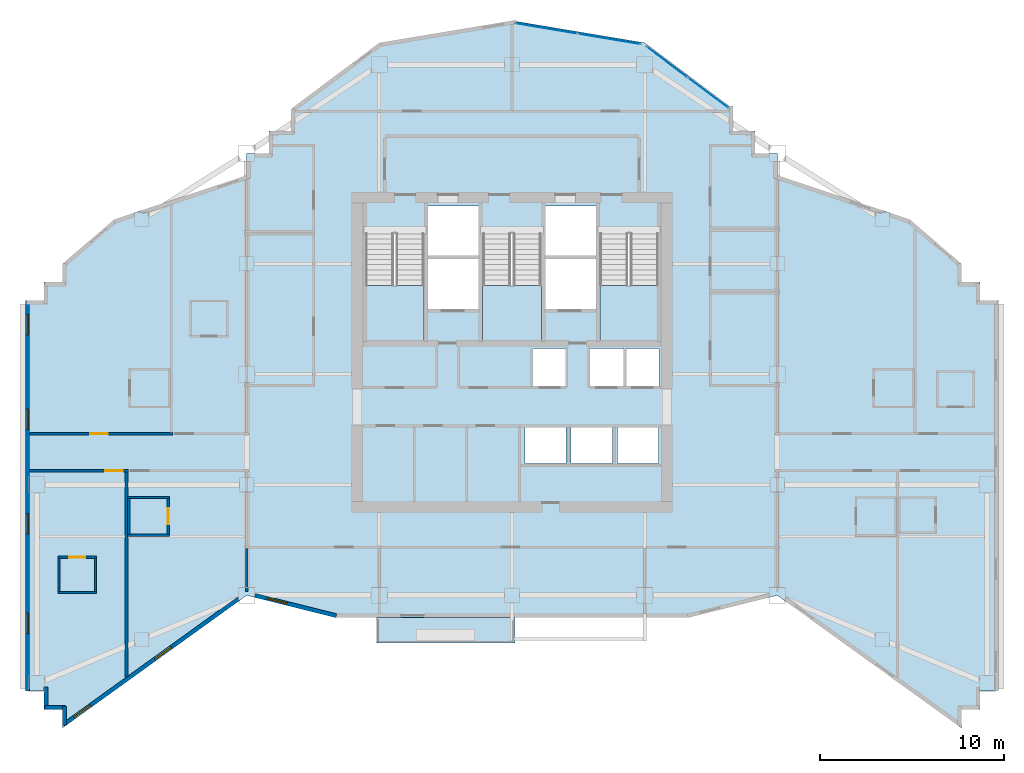
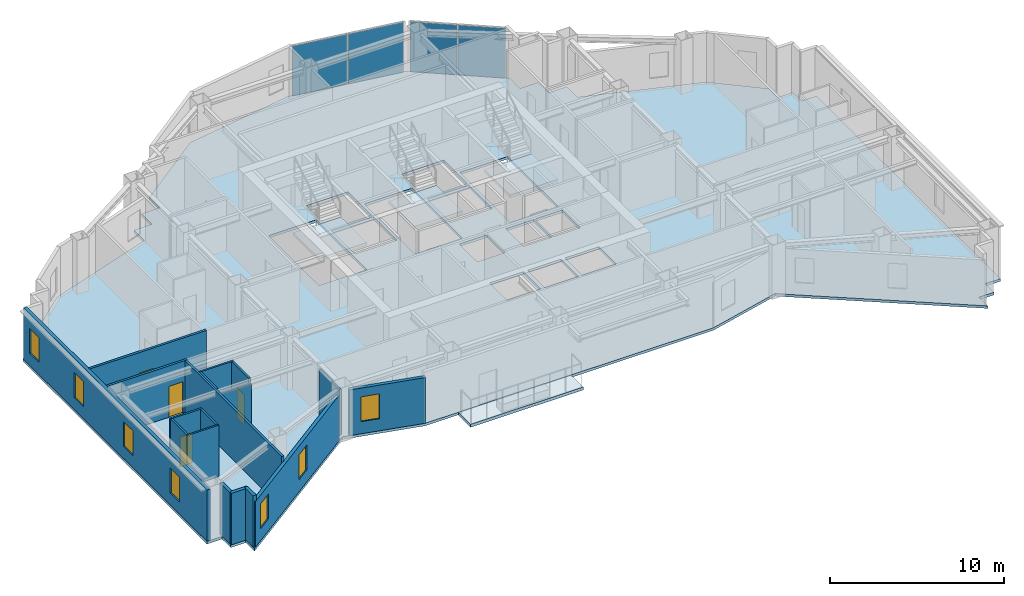
# One storey, part 4 of 12: 18 walls, 7 windows, 5 slabs, 4 doors, 4 plates, 11 openings, 5 elements without a shape of their own.
"""IFC4 building model written with IfcOpenShell, lengths in metres."""

from ifc_helpers import new_model, si_unit, direction, frame, frame_2d, origin, origin_2d, place, context, subcontext, project, spatial, polyline, rectangle, outline, extrude, material, layer, layer_set, type_object, element, fill, aggregate, save


model = new_model("IFC4")

# Units and contexts
model_context = context("Model", 3, precision=1e-05, world=origin(), true_north=direction((0.0, 1.0)))
body_context = subcontext(model_context, "Body", "Model", "MODEL_VIEW")
ifc_project = project(units=[si_unit("LENGTHUNIT", "METRE"), si_unit("AREAUNIT", "SQUARE_METRE"), si_unit("VOLUMEUNIT", "CUBIC_METRE"), si_unit("PLANEANGLEUNIT", "RADIAN"), si_unit("MASSUNIT", "GRAM", prefix="KILO")], contexts=[model_context])

# Site, building, storey
site_placement = place(None, origin())
site = spatial("IfcSite", under=ifc_project, at=site_placement, CompositionType="ELEMENT")
building_placement = place(site_placement, origin())
building = spatial("IfcBuilding", under=site, at=building_placement, Name="Haolan Belvedere Tower", CompositionType="ELEMENT")
storey_placement = place(building_placement, frame((0.0, 0.0, 184.199951171875)))
storey = spatial("IfcBuildingStorey", under=building, at=storey_placement, Name="L46", CompositionType="ELEMENT", Elevation=184.199951171875)

# Curtain wall, plates
ifc_material_1 = material(Name="Anodised champagne-silver aluminium 6063-T6 and Low-E glass", Category="aluminium")
ifc_layer_1 = layer(ifc_material_1, 0.14990234375, Name="Anodised champagne-silver aluminium 6063-T6 and Low-E glass")
ifc_layer_set_1 = layer_set([ifc_layer_1], Name="Anodised champagne-silver aluminium 6063-T6 and Low-E glass")
curtain_wall_type = type_object("IfcCurtainWallType", Name="CW-SYS-04", PredefinedType="NOTDEFINED", material=ifc_layer_set_1)
curtain_wall_1_placement = place(storey_placement, origin())
curtain_wall_1 = element("IfcCurtainWall", 1, at=curtain_wall_1_placement, inside=storey, type_object=curtain_wall_type, Name="L46 CW-SYS-04 ribbon curtain wall 20.1", PredefinedType="NOTDEFINED")
ifc_material_2 = material(Name="Double silver Low-E laminated insulating glass", Category="glass")
ifc_layer_2 = layer(ifc_material_2, 0.02392578125, Name="Double silver Low-E laminated insulating glass")
ifc_layer_set_2 = layer_set([ifc_layer_2], Name="Double silver Low-E laminated insulating glass")
plate_type = type_object("IfcPlateType", Name="CW-SYS-04-PNL", PredefinedType="CURTAIN_PANEL", material=ifc_layer_set_2)
plate_1_placement = place(storey_placement, frame((49.0390625, 48.883056640625, 0.052001953125), z_axis=(0.0, 0.0, 1.0), x_axis=(-0.799997871638, 0.600002837806, 0.0)))
plate_1 = element("IfcPlate", 2, at=plate_1_placement, type_object=plate_type, Name="CW-04 panel 1.1", PredefinedType="CURTAIN_PANEL", context=body_context, shape_type="SweptSolid", body=[
    extrude(rectangle(XDim=2.735107421875, YDim=0.02392578125, at=origin_2d()), origin(), (0.0, 0.0, 1.0), 3.51611328125),
])
plate_2_placement = place(storey_placement, frame((46.806396484375, 50.557861328125, 0.052001953125), z_axis=(0.0, 0.0, 1.0), x_axis=(-0.799997871638, 0.600002837806, 0.0)))
plate_2 = element("IfcPlate", 3, at=plate_2_placement, type_object=plate_type, Name="CW-04 panel 2.1", PredefinedType="CURTAIN_PANEL", context=body_context, shape_type="SweptSolid", body=[
    extrude(rectangle(XDim=2.735107421875, YDim=0.02392578125, at=origin_2d()), origin(), (0.0, 0.0, 1.0), 3.51611328125),
])
aggregate(curtain_wall_1, [plate_1, plate_2])

curtain_wall_2_placement = place(storey_placement, origin())
curtain_wall_2 = element("IfcCurtainWall", 4, at=curtain_wall_2_placement, inside=storey, type_object=curtain_wall_type, Name="L46 CW-SYS-04 ribbon curtain wall 21.1", PredefinedType="NOTDEFINED")
plate_3_placement = place(storey_placement, frame((43.683837890625, 51.807861328125, 0.052001953125), z_axis=(0.0, 0.0, 1.0), x_axis=(-0.98639276122, 0.164405962825, 0.0)))
plate_3 = element("IfcPlate", 5, at=plate_3_placement, type_object=plate_type, Name="CW-04 panel 1.1", PredefinedType="CURTAIN_PANEL", context=body_context, shape_type="SweptSolid", body=[
    extrude(rectangle(XDim=3.403076171875, YDim=0.02392578125, at=origin_2d()), origin(), (0.0, 0.0, 1.0), 3.51611328125),
])
plate_4_placement = place(storey_placement, frame((40.271728515625, 52.37646484375, 0.052001953125), z_axis=(0.0, 0.0, 1.0), x_axis=(-0.98639276122, 0.164405962825, 0.0)))
plate_4 = element("IfcPlate", 6, at=plate_4_placement, type_object=plate_type, Name="CW-04 panel 2.1", PredefinedType="CURTAIN_PANEL", context=body_context, shape_type="SweptSolid", body=[
    extrude(rectangle(XDim=3.403076171875, YDim=0.02392578125, at=origin_2d()), origin(), (0.0, 0.0, 1.0), 3.51611328125),
])
aggregate(curtain_wall_2, [plate_3, plate_4])

# Slabs
ifc_material_3 = material(Name="Concrete C40/50", Category="concrete")
ifc_layer_3 = layer(ifc_material_3, 0.2099609375, Name="Concrete C40/50")
ifc_layer_set_3 = layer_set([ifc_layer_3], Name="Concrete C40/50")
slab_type_1 = type_object("IfcSlabType", Name="SL-BAL-210", PredefinedType="FLOOR", material=ifc_layer_set_3)
slab_1_placement = place(storey_placement, frame((0.0, 0.0, -0.22998046875)))
element("IfcSlab", 7, at=slab_1_placement, inside=storey, type_object=slab_type_1, Name="L46 structural tree-planter balcony slab BAL-L46-S1", PredefinedType="FLOOR", context=body_context, shape_type="SweptSolid", body=[
    extrude(outline(polyline([(31.050048828125, 19.02001953125), (38.550048828125, 19.02001953125), (38.550048828125, 20.39990234375), (31.050048828125, 20.39990234375), (31.050048828125, 19.02001953125)])), origin(), (0.0, 0.0, 1.0), 0.2099609375),
])
ifc_layer_4 = layer(ifc_material_3, 0.179931640625, Name="Concrete C40/50")
ifc_layer_set_4 = layer_set([ifc_layer_4], Name="Concrete C40/50")
slab_type_2 = type_object("IfcSlabType", Name="SL-FLR-180", PredefinedType="FLOOR", material=ifc_layer_set_4)
slab_2_placement = place(storey_placement, frame((0.0, 0.0, -0.179931640625)))
element("IfcSlab", 8, at=slab_2_placement, inside=storey, type_object=slab_type_2, Name="L46 structural floor slab", PredefinedType="FLOOR", context=body_context, shape_type="SweptSolid", body=[
    extrude(outline(polyline([(24.0, 21.60009765625), (28.800048828125, 20.39990234375), (48.0, 20.39990234375), (52.800048828125, 21.60009765625), (62.800048828125, 14.39990234375), (62.800048828125, 15.39990234375), (63.800048828125, 15.39990234375), (63.800048828125, 16.39990234375), (64.800048828125, 16.39990234375), (64.800048828125, 37.60009765625), (63.800048828125, 37.60009765625), (63.800048828125, 38.60009765625), (62.800048828125, 38.60009765625), (62.800048828125, 39.60009765625), (60.0, 42.0), (52.800048828125, 44.39990234375), (52.800048828125, 45.60009765625), (51.60009765625, 45.60009765625), (51.60009765625, 46.800048828125), (50.39990234375, 46.800048828125), (50.39990234375, 48.0), (45.60009765625, 51.60009765625), (38.39990234375, 52.800048828125), (31.199951171875, 51.60009765625), (26.39990234375, 48.0), (26.39990234375, 46.800048828125), (25.199951171875, 46.800048828125), (25.199951171875, 45.60009765625), (24.0, 45.60009765625), (24.0, 44.39990234375), (16.800048828125, 42.0), (14.0, 39.60009765625), (14.0, 38.60009765625), (13.0, 38.60009765625), (13.0, 37.60009765625), (12.0, 37.60009765625), (12.0, 16.800048828125), (12.0, 16.39990234375), (13.0, 16.39990234375), (13.0, 15.39990234375), (14.0, 15.39990234375), (14.0, 14.39990234375), (24.0, 21.60009765625)]), holes=[polyline([(30.449951171875, 41.22998046875), (30.449951171875, 35.449951171875), (33.6298828125, 35.449951171875), (33.6298828125, 41.22998046875), (30.449951171875, 41.22998046875)]), polyline([(36.81005859375, 41.22998046875), (36.81005859375, 35.449951171875), (39.989990234375, 35.449951171875), (39.989990234375, 41.22998046875), (36.81005859375, 41.22998046875)]), polyline([(43.169921875, 41.22998046875), (43.169921875, 35.449951171875), (46.35009765625, 35.449951171875), (46.35009765625, 41.22998046875), (43.169921875, 41.22998046875)]), polyline([(33.830078125, 40.050048828125), (36.610107421875, 40.050048828125), (36.610107421875, 42.75), (33.830078125, 42.75), (33.830078125, 40.050048828125)]), polyline([(33.830078125, 37.14990234375), (36.610107421875, 37.14990234375), (36.610107421875, 39.85009765625), (33.830078125, 39.85009765625), (33.830078125, 37.14990234375)]), polyline([(40.18994140625, 40.050048828125), (42.969970703125, 40.050048828125), (42.969970703125, 42.75), (40.18994140625, 42.75), (40.18994140625, 40.050048828125)]), polyline([(40.18994140625, 37.14990234375), (42.969970703125, 37.14990234375), (42.969970703125, 39.85009765625), (40.18994140625, 39.85009765625), (40.18994140625, 37.14990234375)]), polyline([(39.5400390625, 32.949951171875), (41.389892578125, 32.949951171875), (41.389892578125, 35.0), (39.5400390625, 35.0), (39.5400390625, 32.949951171875)]), polyline([(42.6201171875, 32.949951171875), (44.469970703125, 32.949951171875), (44.469970703125, 35.0), (42.6201171875, 35.0), (42.6201171875, 32.949951171875)]), polyline([(44.580078125, 32.949951171875), (46.3798828125, 32.949951171875), (46.3798828125, 35.0), (44.580078125, 35.0), (44.580078125, 32.949951171875)]), polyline([(39.10009765625, 28.75), (41.340087890625, 28.75), (41.340087890625, 30.75), (39.10009765625, 30.75), (39.10009765625, 28.75)]), polyline([(41.610107421875, 28.75), (43.85009765625, 28.75), (43.85009765625, 30.75), (41.610107421875, 30.75), (41.610107421875, 28.75)]), polyline([(44.1201171875, 28.75), (46.360107421875, 28.75), (46.360107421875, 30.75), (44.1201171875, 30.75), (44.1201171875, 28.75)])]), origin(), (0.0, 0.0, 1.0), 0.179931640625),
])

# Stair, slab
stair_type = type_object("IfcStairType", Name="STR-DL-22R-173", PredefinedType="HALF_TURN_STAIR", material=ifc_material_3)
stair_1_placement = place(storey_placement, origin())
stair_1 = element("IfcStair", 9, at=stair_1_placement, inside=storey, type_object=stair_type, Name="L46 Smokeproof Core Exit Stair ST1", PredefinedType="HALF_TURN_STAIR")
ifc_layer_5 = layer(ifc_material_3, 0.199951171875, Name="Concrete C40/50")
ifc_layer_set_5 = layer_set([ifc_layer_5], Name="Concrete C40/50")
slab_type_3 = type_object("IfcSlabType", Name="SL-LAND-200", PredefinedType="LANDING", material=ifc_layer_set_5)
slab_3_placement = place(storey_placement, frame((0.0, 0.0, 1.699951171875)))
slab_3 = element("IfcSlab", 10, at=slab_3_placement, type_object=slab_type_3, Name="ST1 landing 1", PredefinedType="LANDING", context=body_context, shape_type="SweptSolid", body=[
    extrude(outline(polyline([(30.449951171875, 38.429931640625), (30.449951171875, 35.449951171875), (33.6298828125, 35.449951171875), (33.6298828125, 38.429931640625), (30.449951171875, 38.429931640625)])), origin(), (0.0, 0.0, 1.0), 0.2001953125),
])
aggregate(stair_1, [slab_3])

stair_2_placement = place(storey_placement, origin())
stair_2 = element("IfcStair", 11, at=stair_2_placement, inside=storey, type_object=stair_type, Name="L46 Smokeproof Core Exit Stair ST3", PredefinedType="HALF_TURN_STAIR")
slab_4_placement = place(storey_placement, frame((0.0, 0.0, 1.699951171875)))
slab_4 = element("IfcSlab", 12, at=slab_4_placement, type_object=slab_type_3, Name="ST3 landing 1", PredefinedType="LANDING", context=body_context, shape_type="SweptSolid", body=[
    extrude(outline(polyline([(36.81005859375, 38.429931640625), (36.81005859375, 35.449951171875), (39.989990234375, 35.449951171875), (39.989990234375, 38.429931640625), (36.81005859375, 38.429931640625)])), origin(), (0.0, 0.0, 1.0), 0.2001953125),
])
aggregate(stair_2, [slab_4])

stair_3_placement = place(storey_placement, origin())
stair_3 = element("IfcStair", 13, at=stair_3_placement, inside=storey, type_object=stair_type, Name="L46 Smokeproof Core Exit Stair ST2", PredefinedType="HALF_TURN_STAIR")
slab_5_placement = place(storey_placement, frame((0.0, 0.0, 1.699951171875)))
slab_5 = element("IfcSlab", 14, at=slab_5_placement, type_object=slab_type_3, Name="ST2 landing 1", PredefinedType="LANDING", context=body_context, shape_type="SweptSolid", body=[
    extrude(outline(polyline([(43.169921875, 38.429931640625), (43.169921875, 35.449951171875), (46.35009765625, 35.449951171875), (46.35009765625, 38.429931640625), (43.169921875, 38.429931640625)])), origin(), (0.0, 0.0, 1.0), 0.2001953125),
])
aggregate(stair_3, [slab_5])

# Wall, openings, windows
ifc_material_4 = material(Name="Precast concrete C40/50", Category="concrete")
ifc_layer_6 = layer(ifc_material_4, 0.219970703125, Name="Precast concrete C40/50")
ifc_layer_set_6 = layer_set([ifc_layer_6], Name="Precast concrete C40/50")
wall_type_1 = type_object("IfcWallType", Name="WL-EXT-220", PredefinedType="SOLIDWALL", material=ifc_layer_set_6)
wall_1_placement = place(storey_placement, frame((12.110107421875, 37.544921875, 0.0), z_axis=(0.0, 0.0, 1.0), x_axis=(0.0, -1.0, 0.0)))
wall_1 = element("IfcWall", 15, at=wall_1_placement, inside=storey, type_object=wall_type_1, Name="L46 pale-metal exterior spandrel wall 35.1", PredefinedType="SOLIDWALL", context=body_context, shape_type="SweptSolid", body=[
    extrude(rectangle(XDim=21.14501953125, YDim=0.219970703125, at=frame_2d((10.572509765625, 0.0))), origin(), (0.0, 0.0, 1.0), 3.6201171875),
])
opening_1_placement = place(wall_1_placement, frame((0.699951171875, 0.0, 0.85009765625)))
opening_1 = element("IfcOpeningElement", 16, at=opening_1_placement, cuts=wall_1, Name="Opening W-03", PredefinedType="OPENING", context=body_context, shape_type="SweptSolid", body=[
    extrude(rectangle(XDim=1.10009765625, YDim=1.75, at=frame_2d((0.550048828125, 0.875))), frame((0.0, 0.119873046875, 0.0), z_axis=(0.0, -1.0, 0.0), x_axis=(1.0, 0.0, 0.0)), (0.0, 0.0, 1.0), 0.239990234375),
])
opening_2_placement = place(wall_1_placement, frame((5.830078125, 0.0, 0.85009765625)))
opening_2 = element("IfcOpeningElement", 17, at=opening_2_placement, cuts=wall_1, Name="Opening W-03", PredefinedType="OPENING", context=body_context, shape_type="SweptSolid", body=[
    extrude(rectangle(XDim=1.10009765625, YDim=1.75, at=frame_2d((0.550048828125, 0.875))), frame((0.0, 0.119873046875, 0.0), z_axis=(0.0, -1.0, 0.0), x_axis=(1.0, 0.0, 0.0)), (0.0, 0.0, 1.0), 0.239990234375),
])
opening_3_placement = place(wall_1_placement, frame((11.5, 0.0, 0.85009765625)))
opening_3 = element("IfcOpeningElement", 18, at=opening_3_placement, cuts=wall_1, Name="Opening W-03", PredefinedType="OPENING", context=body_context, shape_type="SweptSolid", body=[
    extrude(rectangle(XDim=1.10009765625, YDim=1.75, at=frame_2d((0.550048828125, 0.875))), frame((0.0, 0.119873046875, 0.0), z_axis=(0.0, -1.0, 0.0), x_axis=(1.0, 0.0, 0.0)), (0.0, 0.0, 1.0), 0.239990234375),
])
opening_4_placement = place(wall_1_placement, frame((16.89990234375, 0.0, 0.85009765625)))
opening_4 = element("IfcOpeningElement", 19, at=opening_4_placement, cuts=wall_1, Name="Opening W-03", PredefinedType="OPENING", context=body_context, shape_type="SweptSolid", body=[
    extrude(rectangle(XDim=1.10009765625, YDim=1.75, at=frame_2d((0.550048828125, 0.875))), frame((0.0, 0.119873046875, 0.0), z_axis=(0.0, -1.0, 0.0), x_axis=(1.0, 0.0, 0.0)), (0.0, 0.0, 1.0), 0.239990234375),
])
ifc_material_5 = material(Name="Anodised aluminium 6063-T6 and Low-E glass", Category="aluminium")
window_type = type_object("IfcWindowType", Name="WN-DECO-Z3", PartitioningType="SINGLE_PANEL", PredefinedType="WINDOW", material=ifc_material_5)
window_1_placement = place(opening_1_placement, origin())
window_1 = element("IfcWindow", 20, at=window_1_placement, inside=storey, type_object=window_type, Name="L46 Art Deco chevron window 1", OverallHeight=1.75, OverallWidth=1.10009765625, PartitioningType="SINGLE_PANEL", PredefinedType="WINDOW", context=body_context, shape_type="SweptSolid", body=[
    extrude(rectangle(XDim=1.10009765625, YDim=1.75, at=frame_2d((0.550048828125, 0.875))), frame((0.0, 0.030029296875, 0.0), z_axis=(0.0, -1.0, 0.0), x_axis=(1.0, 0.0, 0.0)), (0.0, 0.0, 1.0), 0.06005859375),
])
fill(opening_1, window_1)
window_2_placement = place(opening_2_placement, origin())
window_2 = element("IfcWindow", 21, at=window_2_placement, inside=storey, type_object=window_type, Name="L46 Art Deco chevron window 2", OverallHeight=1.75, OverallWidth=1.10009765625, PartitioningType="SINGLE_PANEL", PredefinedType="WINDOW", context=body_context, shape_type="SweptSolid", body=[
    extrude(rectangle(XDim=1.10009765625, YDim=1.75, at=frame_2d((0.550048828125, 0.875))), frame((0.0, 0.030029296875, 0.0), z_axis=(0.0, -1.0, 0.0), x_axis=(1.0, 0.0, 0.0)), (0.0, 0.0, 1.0), 0.06005859375),
])
fill(opening_2, window_2)
window_3_placement = place(opening_3_placement, origin())
window_3 = element("IfcWindow", 22, at=window_3_placement, inside=storey, type_object=window_type, Name="L46 Art Deco chevron window 3", OverallHeight=1.75, OverallWidth=1.10009765625, PartitioningType="SINGLE_PANEL", PredefinedType="WINDOW", context=body_context, shape_type="SweptSolid", body=[
    extrude(rectangle(XDim=1.10009765625, YDim=1.75, at=frame_2d((0.550048828125, 0.875))), frame((0.0, 0.030029296875, 0.0), z_axis=(0.0, -1.0, 0.0), x_axis=(1.0, 0.0, 0.0)), (0.0, 0.0, 1.0), 0.06005859375),
])
fill(opening_3, window_3)
window_4_placement = place(opening_4_placement, origin())
window_4 = element("IfcWindow", 23, at=window_4_placement, inside=storey, type_object=window_type, Name="L46 Art Deco chevron window 4", OverallHeight=1.75, OverallWidth=1.10009765625, PartitioningType="SINGLE_PANEL", PredefinedType="WINDOW", context=body_context, shape_type="SweptSolid", body=[
    extrude(rectangle(XDim=1.10009765625, YDim=1.75, at=frame_2d((0.550048828125, 0.875))), frame((0.0, 0.030029296875, 0.0), z_axis=(0.0, -1.0, 0.0), x_axis=(1.0, 0.0, 0.0)), (0.0, 0.0, 1.0), 0.06005859375),
])
fill(opening_4, window_4)

# Walls
wall_2_placement = place(storey_placement, frame((13.110107421875, 16.6201171875, 0.0), z_axis=(0.0, 0.0, 1.0), x_axis=(0.0, -1.0, 0.0)))
element("IfcWall", 24, at=wall_2_placement, inside=storey, type_object=wall_type_1, Name="L46 pale-metal exterior spandrel wall 37.1", PredefinedType="SOLIDWALL", context=body_context, shape_type="SweptSolid", body=[
    extrude(rectangle(XDim=1.1650390625, YDim=0.219970703125, at=frame_2d((0.58251953125, 0.0))), origin(), (0.0, 0.0, 1.0), 3.6201171875),
])
wall_3_placement = place(storey_placement, frame((13.054931640625, 15.510009765625, 0.0), z_axis=(0.0, 0.0, 1.0), x_axis=(1.0, 0.0, 0.0)))
element("IfcWall", 25, at=wall_3_placement, inside=storey, type_object=wall_type_1, Name="L46 pale-metal exterior spandrel wall 38.1", PredefinedType="SOLIDWALL", context=body_context, shape_type="SweptSolid", body=[
    extrude(rectangle(XDim=1.110107421875, YDim=0.219970703125, at=frame_2d((0.55517578125, 0.0))), origin(), (0.0, 0.0, 1.0), 3.6201171875),
])
wall_4_placement = place(storey_placement, frame((14.110107421875, 15.56494140625, 0.0), z_axis=(0.0, 0.0, 1.0), x_axis=(0.0, -1.0, 0.0)))
element("IfcWall", 26, at=wall_4_placement, inside=storey, type_object=wall_type_1, Name="L46 pale-metal exterior spandrel wall 39.1", PredefinedType="SOLIDWALL", context=body_context, shape_type="SweptSolid", body=[
    extrude(rectangle(XDim=1.005126953125, YDim=0.219970703125, at=frame_2d((0.50244140625, 0.0))), origin(), (0.0, 0.0, 1.0), 3.6201171875),
])

# Wall, openings, windows
wall_5_placement = place(storey_placement, frame((14.0654296875, 14.58251953125, 0.0), z_axis=(0.0, 0.0, 1.0), x_axis=(0.811534737332, 0.58430417601, 0.0)))
wall_5 = element("IfcWall", 27, at=wall_5_placement, inside=storey, type_object=wall_type_1, Name="L46 pale-metal exterior spandrel wall 40.1", PredefinedType="SOLIDWALL", context=body_context, shape_type="SweptSolid", body=[
    extrude(rectangle(XDim=11.697265625, YDim=0.219970703125, at=frame_2d((5.8486328125, 0.0))), origin(), (0.0, 0.0, 1.0), 3.215087890625),
])
opening_5_placement = place(wall_5_placement, frame((0.699951171875, 0.0, 0.85009765625)))
opening_5 = element("IfcOpeningElement", 28, at=opening_5_placement, cuts=wall_5, Name="Opening W-03", PredefinedType="OPENING", context=body_context, shape_type="SweptSolid", body=[
    extrude(rectangle(XDim=1.10009765625, YDim=1.75, at=frame_2d((0.550048828125, 0.875))), frame((0.0, 0.119873046875, 0.0), z_axis=(0.0, -1.0, 0.0), x_axis=(1.0, 0.0, 0.0)), (0.0, 0.0, 1.0), 0.239990234375),
])
opening_6_placement = place(wall_5_placement, frame((6.10009765625, 0.0, 0.85009765625)))
opening_6 = element("IfcOpeningElement", 29, at=opening_6_placement, cuts=wall_5, Name="Opening W-03", PredefinedType="OPENING", context=body_context, shape_type="SweptSolid", body=[
    extrude(rectangle(XDim=1.10009765625, YDim=1.75, at=frame_2d((0.550048828125, 0.875))), frame((0.0, 0.119873046875, 0.0), z_axis=(0.0, -1.0, 0.0), x_axis=(1.0, 0.0, 0.0)), (0.0, 0.0, 1.0), 0.239990234375),
])
window_5_placement = place(opening_5_placement, origin())
window_5 = element("IfcWindow", 30, at=window_5_placement, inside=storey, type_object=window_type, Name="L46 Art Deco chevron window 1", OverallHeight=1.75, OverallWidth=1.10009765625, PartitioningType="SINGLE_PANEL", PredefinedType="WINDOW", context=body_context, shape_type="SweptSolid", body=[
    extrude(rectangle(XDim=1.10009765625, YDim=1.75, at=frame_2d((0.550048828125, 0.875))), frame((0.0, 0.030029296875, 0.0), z_axis=(0.0, -1.0, 0.0), x_axis=(1.0, 0.0, 0.0)), (0.0, 0.0, 1.0), 0.06005859375),
])
fill(opening_5, window_5)
window_6_placement = place(opening_6_placement, origin())
window_6 = element("IfcWindow", 31, at=window_6_placement, inside=storey, type_object=window_type, Name="L46 Art Deco chevron window 2", OverallHeight=1.75, OverallWidth=1.10009765625, PartitioningType="SINGLE_PANEL", PredefinedType="WINDOW", context=body_context, shape_type="SweptSolid", body=[
    extrude(rectangle(XDim=1.10009765625, YDim=1.75, at=frame_2d((0.550048828125, 0.875))), frame((0.0, 0.030029296875, 0.0), z_axis=(0.0, -1.0, 0.0), x_axis=(1.0, 0.0, 0.0)), (0.0, 0.0, 1.0), 0.06005859375),
])
fill(opening_6, window_6)

# Wall, opening, window
wall_6_placement = place(storey_placement, frame((24.44189453125, 21.602783203125, 0.0), z_axis=(0.0, 0.0, 1.0), x_axis=(0.970145648609, -0.242523030833, 0.0)))
wall_6 = element("IfcWall", 32, at=wall_6_placement, inside=storey, type_object=wall_type_1, Name="L46 pale-metal exterior spandrel wall 41.1", PredefinedType="SOLIDWALL", context=body_context, shape_type="SweptSolid", body=[
    extrude(rectangle(XDim=4.561279296875, YDim=0.219970703125, at=frame_2d((2.28076171875, 0.0))), origin(), (0.0, 0.0, 1.0), 3.215087890625),
])
opening_7_placement = place(wall_6_placement, frame((0.699951171875, 0.0, 0.85009765625)))
opening_7 = element("IfcOpeningElement", 33, at=opening_7_placement, cuts=wall_6, Name="Opening W-03", PredefinedType="OPENING", context=body_context, shape_type="SweptSolid", body=[
    extrude(rectangle(XDim=1.10009765625, YDim=1.75, at=frame_2d((0.550048828125, 0.875))), frame((0.0, 0.119873046875, 0.0), z_axis=(0.0, -1.0, 0.0), x_axis=(1.0, 0.0, 0.0)), (0.0, 0.0, 1.0), 0.239990234375),
])
window_7_placement = place(opening_7_placement, origin())
window_7 = element("IfcWindow", 34, at=window_7_placement, inside=storey, type_object=window_type, Name="L46 Art Deco chevron window 1", OverallHeight=1.75, OverallWidth=1.10009765625, PartitioningType="SINGLE_PANEL", PredefinedType="WINDOW", context=body_context, shape_type="SweptSolid", body=[
    extrude(rectangle(XDim=1.10009765625, YDim=1.75, at=frame_2d((0.550048828125, 0.875))), frame((0.0, 0.030029296875, 0.0), z_axis=(0.0, -1.0, 0.0), x_axis=(1.0, 0.0, 0.0)), (0.0, 0.0, 1.0), 0.06005859375),
])
fill(opening_7, window_7)

# Wall
ifc_material_6 = material(Name="Double gypsum acoustic stud partition", Category="masonry")
ifc_layer_7 = layer(ifc_material_6, 0.14990234375, Name="Double gypsum acoustic stud partition")
ifc_layer_set_7 = layer_set([ifc_layer_7], Name="Double gypsum acoustic stud partition")
wall_type_2 = type_object("IfcWallType", Name="WL-PART-150", PredefinedType="PARTITIONING", material=ifc_layer_set_7)
wall_7_placement = place(storey_placement, frame((24.0, 21.818603515625, 0.0), z_axis=(0.0, 0.0, 1.0), x_axis=(0.0, 1.0, 0.0)))
element("IfcWall", 35, at=wall_7_placement, inside=storey, type_object=wall_type_2, Name="L46 interior partition IW-L46-KS1-W", PredefinedType="PARTITIONING", context=body_context, shape_type="SweptSolid", body=[
    extrude(rectangle(XDim=2.34130859375, YDim=0.14990234375, at=frame_2d((1.170654296875, 0.0))), origin(), (0.0, 0.0, 1.0), 3.215087890625),
])

# Wall, opening, door
wall_8_placement = place(storey_placement, frame((12.2119140625, 30.3798828125, 0.0), z_axis=(0.0, 0.0, 1.0), x_axis=(1.0, 0.0, 0.0)))
wall_8 = element("IfcWall", 36, at=wall_8_placement, inside=storey, type_object=wall_type_2, Name="L46 interior partition IW-L46-T2N1-S", PredefinedType="PARTITIONING", context=body_context, shape_type="SweptSolid", body=[
    extrude(rectangle(XDim=7.7880859375, YDim=0.14990234375, at=frame_2d((3.89404296875, 0.0))), origin(), (0.0, 0.0, 1.0), 3.6201171875),
])
opening_8_placement = place(wall_8_placement, frame((3.30810546875, 0.0, 0.0)))
opening_8 = element("IfcOpeningElement", 37, at=opening_8_placement, cuts=wall_8, Name="Opening ID-01", PredefinedType="OPENING", context=body_context, shape_type="SweptSolid", body=[
    extrude(rectangle(XDim=0.949951171875, YDim=2.179931640625, at=frame_2d((0.47509765625, 1.08984375))), frame((0.0, 0.0849609375, 0.0), z_axis=(0.0, -1.0, 0.0), x_axis=(1.0, 0.0, 0.0)), (0.0, 0.0, 1.0), 0.169921875),
])
ifc_material_7 = material(Name="Acoustic walnut veneer fire-rated timber", Category="wood")
door_type_1 = type_object("IfcDoorType", Name="DR-SUITE-950", OperationType="NOTDEFINED", PredefinedType="DOOR", material=ifc_material_7)
door_1_placement = place(opening_8_placement, origin())
door_1 = element("IfcDoor", 38, at=door_1_placement, inside=storey, type_object=door_type_1, Name="L46 door ID-L46-T2N1-ENT", OperationType="SINGLE_SWING_LEFT", OverallHeight=2.179931640625, OverallWidth=0.949951171875, PredefinedType="DOOR", context=body_context, shape_type="SweptSolid", body=[
    extrude(rectangle(XDim=0.949951171875, YDim=2.179931640625, at=frame_2d((0.47509765625, 1.08984375))), frame((0.0, 0.02490234375, 0.0), z_axis=(0.0, -1.0, 0.0), x_axis=(1.0, 0.0, 0.0)), (0.0, 0.0, 1.0), 0.050048828125),
])
fill(opening_8, door_1)

wall_9_placement = place(storey_placement, frame((12.2119140625, 28.3701171875, 0.0), z_axis=(0.0, 0.0, 1.0), x_axis=(1.0, 0.0, 0.0)))
wall_9 = element("IfcWall", 39, at=wall_9_placement, inside=storey, type_object=wall_type_2, Name="L46 interior partition IW-L46-T2S1-N", PredefinedType="PARTITIONING", context=body_context, shape_type="SweptSolid", body=[
    extrude(rectangle(XDim=5.3681640625, YDim=0.14990234375, at=frame_2d((2.68408203125, 0.0))), origin(), (0.0, 0.0, 1.0), 3.6201171875),
])
opening_9_placement = place(wall_9_placement, frame((5.0615234375, 0.0, 0.0), z_axis=(0.0, 0.0, 1.0), x_axis=(-1.0, 0.0, 0.0)))
opening_9 = element("IfcOpeningElement", 40, at=opening_9_placement, cuts=wall_9, Name="Opening ID-01", PredefinedType="OPENING", context=body_context, shape_type="SweptSolid", body=[
    extrude(rectangle(XDim=0.949951171875, YDim=2.179931640625, at=frame_2d((0.47509765625, 1.08984375))), frame((0.0, 0.0849609375, 0.0), z_axis=(0.0, -1.0, 0.0), x_axis=(1.0, 0.0, 0.0)), (0.0, 0.0, 1.0), 0.169921875),
])
door_2_placement = place(opening_9_placement, origin())
door_2 = element("IfcDoor", 41, at=door_2_placement, inside=storey, type_object=door_type_1, Name="L46 door ID-L46-T2S1-ENT", OperationType="SINGLE_SWING_LEFT", OverallHeight=2.179931640625, OverallWidth=0.949951171875, PredefinedType="DOOR", context=body_context, shape_type="SweptSolid", body=[
    extrude(rectangle(XDim=0.949951171875, YDim=2.179931640625, at=frame_2d((0.47509765625, 1.08984375))), frame((0.0, 0.02490234375, 0.0), z_axis=(0.0, -1.0, 0.0), x_axis=(1.0, 0.0, 0.0)), (0.0, 0.0, 1.0), 0.050048828125),
])
fill(opening_9, door_2)

# Wall
wall_10_placement = place(storey_placement, frame((17.47998046875, 17.166748046875, 0.0), z_axis=(0.0, 0.0, 1.0), x_axis=(0.0, 1.0, 0.0)))
element("IfcWall", 42, at=wall_10_placement, inside=storey, type_object=wall_type_2, Name="L46 interior partition IW-L46-T2S1-E", PredefinedType="PARTITIONING", context=body_context, shape_type="SweptSolid", body=[
    extrude(rectangle(XDim=11.143310546875, YDim=0.14990234375, at=frame_2d((5.57177734375, 0.0))), origin(), (0.0, 0.0, 1.0), 3.6201171875),
])

# Wall, opening, door
ifc_material_8 = material(Name="Moisture-resistant gypsum tile partition", Category="masonry")
ifc_layer_8 = layer(ifc_material_8, 0.1201171875, Name="Moisture-resistant gypsum tile partition")
ifc_layer_set_8 = layer_set([ifc_layer_8], Name="Moisture-resistant gypsum tile partition")
wall_type_3 = type_object("IfcWallType", Name="WL-WET-120", PredefinedType="PARTITIONING", material=ifc_layer_set_8)
wall_11_placement = place(storey_placement, frame((13.7548828125, 23.677978515625, 0.0), z_axis=(0.0, 0.0, 1.0), x_axis=(1.0, 0.0, 0.0)))
wall_11 = element("IfcWall", 43, at=wall_11_placement, inside=storey, type_object=wall_type_3, Name="L46 interior partition IW-L46-T2S1-BN", PredefinedType="PARTITIONING", context=body_context, shape_type="SweptSolid", body=[
    extrude(rectangle(XDim=2.10009765625, YDim=0.1201171875, at=frame_2d((1.050048828125, 0.0))), origin(), (0.0, 0.0, 1.0), 3.6201171875),
])
opening_10_placement = place(wall_11_placement, frame((1.47509765625, 0.0, 0.0), z_axis=(0.0, 0.0, 1.0), x_axis=(-1.0, 0.0, 0.0)))
opening_10 = element("IfcOpeningElement", 44, at=opening_10_placement, cuts=wall_11, Name="Opening ID-05", PredefinedType="OPENING", context=body_context, shape_type="SweptSolid", body=[
    extrude(rectangle(XDim=0.85009765625, YDim=2.10009765625, at=frame_2d((0.425048828125, 1.050048828125))), frame((0.0, 0.070068359375, 0.0), z_axis=(0.0, -1.0, 0.0), x_axis=(1.0, 0.0, 0.0)), (0.0, 0.0, 1.0), 0.14013671875),
])
ifc_material_9 = material(Name="Moisture-resistant lacquered timber", Category="wood")
door_type_2 = type_object("IfcDoorType", Name="DR-BATH-850", OperationType="NOTDEFINED", PredefinedType="DOOR", material=ifc_material_9)
door_3_placement = place(opening_10_placement, origin())
door_3 = element("IfcDoor", 45, at=door_3_placement, inside=storey, type_object=door_type_2, Name="L46 door ID-L46-T2S1-BATH", OperationType="SINGLE_SWING_RIGHT", OverallHeight=2.10009765625, OverallWidth=0.85009765625, PredefinedType="DOOR", context=body_context, shape_type="SweptSolid", body=[
    extrude(rectangle(XDim=0.85009765625, YDim=2.10009765625, at=frame_2d((0.425048828125, 1.050048828125))), frame((0.0, 0.02490234375, 0.0), z_axis=(0.0, -1.0, 0.0), x_axis=(1.0, 0.0, 0.0)), (0.0, 0.0, 1.0), 0.050048828125),
])
fill(opening_10, door_3)

# Walls
wall_12_placement = place(storey_placement, frame((13.7548828125, 21.758056640625, 0.0), z_axis=(0.0, 0.0, 1.0), x_axis=(1.0, 0.0, 0.0)))
element("IfcWall", 46, at=wall_12_placement, inside=storey, type_object=wall_type_3, Name="L46 interior partition IW-L46-T2S1-BS", PredefinedType="PARTITIONING", context=body_context, shape_type="SweptSolid", body=[
    extrude(rectangle(XDim=2.10009765625, YDim=0.1201171875, at=frame_2d((1.050048828125, 0.0))), origin(), (0.0, 0.0, 1.0), 3.6201171875),
])
for number, where, z_axis, x_axis, name in (
    (47, (13.81494140625, 21.802978515625, 0.0), (0.0, 0.0, 1.0), (0.0, 1.0, 0.0), "L46 interior partition IW-L46-T2S1-BW"),
    (48, (15.794921875, 21.802978515625, 0.0), (0.0, 0.0, 1.0), (0.0, 1.0, 0.0), "L46 interior partition IW-L46-T2S1-BE"),
):
    element("IfcWall", number, at=place(storey_placement, frame(where, z_axis=z_axis, x_axis=x_axis)), inside=storey, type_object=wall_type_3, Name=name, PredefinedType="PARTITIONING", context=body_context, shape_type="SweptSolid", body=[
        extrude(rectangle(XDim=1.830078125, YDim=0.1201171875, at=frame_2d((0.9150390625, 0.0))), origin(), (0.0, 0.0, 1.0), 3.6201171875),
    ])
wall_13_placement = place(storey_placement, frame((17.5400390625, 26.919921875, 0.0), z_axis=(0.0, 0.0, 1.0), x_axis=(1.0, 0.0, 0.0)))
element("IfcWall", 49, at=wall_13_placement, inside=storey, type_object=wall_type_3, Name="L46 interior partition IW-L46-T2S2-BN", PredefinedType="PARTITIONING", context=body_context, shape_type="SweptSolid", body=[
    extrude(rectangle(XDim=2.264892578125, YDim=0.1201171875, at=frame_2d((1.13232421875, 0.0))), origin(), (0.0, 0.0, 1.0), 3.6201171875),
])
wall_14_placement = place(storey_placement, frame((17.5400390625, 24.8701171875, 0.0), z_axis=(0.0, 0.0, 1.0), x_axis=(1.0, 0.0, 0.0)))
element("IfcWall", 50, at=wall_14_placement, inside=storey, type_object=wall_type_3, Name="L46 interior partition IW-L46-T2S2-BS", PredefinedType="PARTITIONING", context=body_context, shape_type="SweptSolid", body=[
    extrude(rectangle(XDim=2.264892578125, YDim=0.1201171875, at=frame_2d((1.13232421875, 0.0))), origin(), (0.0, 0.0, 1.0), 3.255126953125),
])
wall_15_placement = place(storey_placement, frame((17.594970703125, 24.9150390625, 0.0), z_axis=(0.0, 0.0, 1.0), x_axis=(0.0, 1.0, 0.0)))
element("IfcWall", 51, at=wall_15_placement, inside=storey, type_object=wall_type_3, Name="L46 interior partition IW-L46-T2S2-BW", PredefinedType="PARTITIONING", context=body_context, shape_type="SweptSolid", body=[
    extrude(rectangle(XDim=1.9599609375, YDim=0.1201171875, at=frame_2d((0.97998046875, 0.0))), origin(), (0.0, 0.0, 1.0), 3.6201171875),
])

# Wall, opening, door
wall_16_placement = place(storey_placement, frame((19.7451171875, 24.9150390625, 0.0), z_axis=(0.0, 0.0, 1.0), x_axis=(0.0, 1.0, 0.0)))
wall_16 = element("IfcWall", 52, at=wall_16_placement, inside=storey, type_object=wall_type_3, Name="L46 interior partition IW-L46-T2S2-BE", PredefinedType="PARTITIONING", context=body_context, shape_type="SweptSolid", body=[
    extrude(rectangle(XDim=1.9599609375, YDim=0.1201171875, at=frame_2d((0.97998046875, 0.0))), origin(), (0.0, 0.0, 1.0), 3.6201171875),
])
opening_11_placement = place(wall_16_placement, frame((0.554931640625, 0.0, 0.0)))
opening_11 = element("IfcOpeningElement", 53, at=opening_11_placement, cuts=wall_16, Name="Opening ID-05", PredefinedType="OPENING", context=body_context, shape_type="SweptSolid", body=[
    extrude(rectangle(XDim=0.85009765625, YDim=2.10009765625, at=frame_2d((0.425048828125, 1.050048828125))), frame((0.0, 0.070068359375, 0.0), z_axis=(0.0, -1.0, 0.0), x_axis=(1.0, 0.0, 0.0)), (0.0, 0.0, 1.0), 0.14013671875),
])
door_4_placement = place(opening_11_placement, origin())
door_4 = element("IfcDoor", 54, at=door_4_placement, inside=storey, type_object=door_type_2, Name="L46 door ID-L46-T2S2-BATH", OperationType="SINGLE_SWING_LEFT", OverallHeight=2.10009765625, OverallWidth=0.85009765625, PredefinedType="DOOR", context=body_context, shape_type="SweptSolid", body=[
    extrude(rectangle(XDim=0.85009765625, YDim=2.10009765625, at=frame_2d((0.425048828125, 1.050048828125))), frame((0.0, 0.02490234375, 0.0), z_axis=(0.0, -1.0, 0.0), x_axis=(1.0, 0.0, 0.0)), (0.0, 0.0, 1.0), 0.050048828125),
])
fill(opening_11, door_4)

save(model, "model.ifc")
